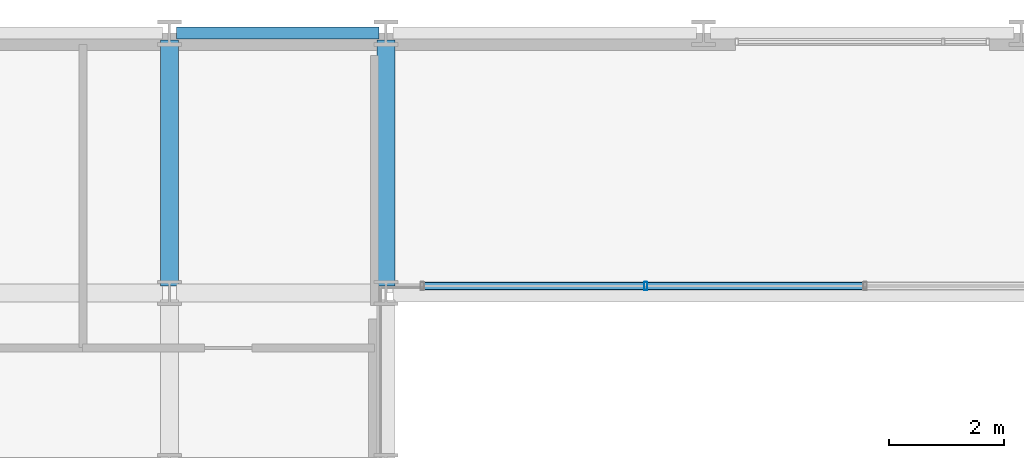
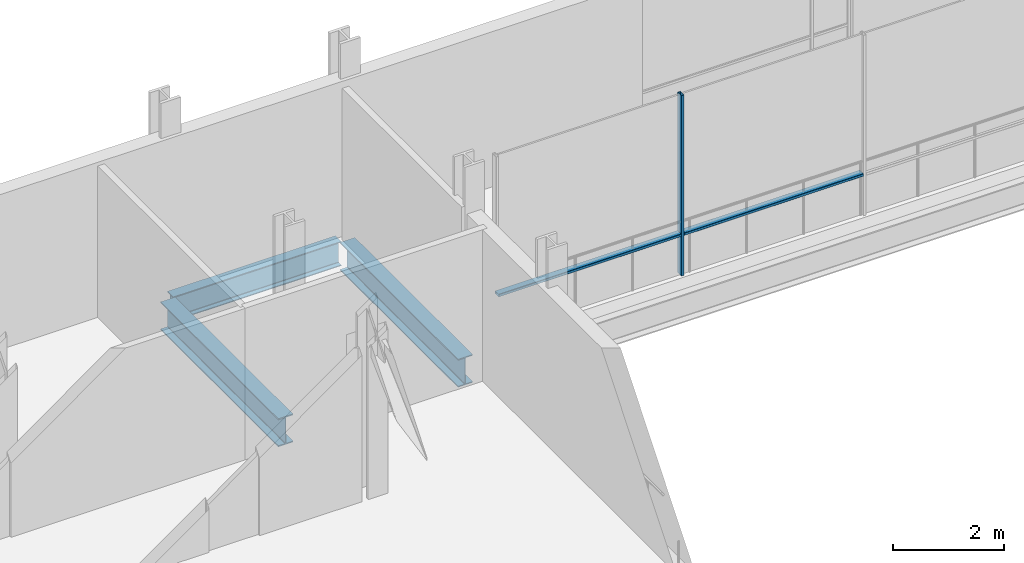
# One storey, part 11 of 32: 3 beams, 3 members, 1 element without a shape of its own.
"""IFC4 building model written with IfcOpenShell, lengths in metres."""

from ifc_helpers import new_model, si_unit, direction, frame, origin, origin_2d, place, context, subcontext, project, spatial, hollow_rectangle, i_section, extrude, material, layer, layer_set, material_profile, profile_set, type_object, element, aggregate, save


model = new_model("IFC4")

# Units and contexts
model_context = context("Model", 3, precision=1e-05, world=origin(), true_north=direction((0.0, 1.0)))
body_context = subcontext(model_context, "Body", "Model", "MODEL_VIEW")
ifc_project = project(units=[si_unit("LENGTHUNIT", "METRE"), si_unit("AREAUNIT", "SQUARE_METRE"), si_unit("VOLUMEUNIT", "CUBIC_METRE"), si_unit("PLANEANGLEUNIT", "RADIAN"), si_unit("MASSUNIT", "GRAM", prefix="KILO")], contexts=[model_context])

# Site, building, storey
site_placement = place(None, origin())
site = spatial("IfcSite", under=ifc_project, at=site_placement, CompositionType="ELEMENT")
building_placement = place(site_placement, origin())
building = spatial("IfcBuilding", under=site, at=building_placement, Name="Brevholm Reach", CompositionType="ELEMENT")
storey_placement = place(building_placement, frame((0.0, 0.0, 96.199951171875)))
storey = spatial("IfcBuildingStorey", under=building, at=storey_placement, Name="L28", CompositionType="ELEMENT", Elevation=96.199951171875)

# Beams
ifc_material_1 = material(Name="Structural Steel S355J2", Category="steel")
ifc_material_profile_1 = material_profile(ifc_material_1, i_section(OverallWidth=0.210693359375, OverallDepth=0.53955078125, WebThickness=0.01171875, FlangeThickness=0.018798828125, FilletRadius=0.0126953125, at=origin_2d()), Name="UKB 533x210x109")
ifc_profile_set_1 = profile_set([ifc_material_profile_1], Name="Structural Steel S355J2")
beam_type_1 = type_object("IfcBeamType", Name="BM-SP539", PredefinedType="SPANDREL", material=ifc_profile_set_1)
beam_placement = place(storey_placement, frame((18.1201171875, 31.0, -0.52978515625), z_axis=(1.0, 0.0, 0.0), x_axis=(0.0, 1.0, 0.0)))
element("IfcBeam", 1, at=beam_placement, inside=storey, type_object=beam_type_1, Name="L28 SP-01B Framing Beam", PredefinedType="SPANDREL", context=body_context, shape_type="SweptSolid", body=[
    extrude(i_section(OverallWidth=0.210693359375, OverallDepth=0.53955078125, WebThickness=0.01171875, FlangeThickness=0.018798828125, FilletRadius=0.0126953125, at=origin_2d()), origin(), (0.0, 0.0, 1.0), 3.509765625),
])
ifc_material_2 = material(Name="Structural Steel S355J2", Category="steel")
ifc_material_profile_2 = material_profile(ifc_material_2, i_section(OverallWidth=0.30712890625, OverallDepth=0.6201171875, WebThickness=0.01416015625, FlangeThickness=0.023681640625, FilletRadius=0.0166015625, at=origin_2d()), Name="UKB 610x305x179")
ifc_profile_set_2 = profile_set([ifc_material_profile_2], Name="Structural Steel S355J2")
beam_type_2 = type_object("IfcBeamType", Name="BM-UKB610H", PredefinedType="USERDEFINED", material=ifc_profile_set_2)
for number, where, z_axis, x_axis, name in (
    (2, (18.0, 26.6201171875, -0.570068359375), (0.0, 1.0, 0.0), (-1.0, 0.0, 0.0), "L28 G-06 Framing Beam"),
    (3, (21.75, 26.6201171875, -0.570068359375), (0.0, 1.0, 0.0), (-1.0, 0.0, 0.0), "L28 G-06 Framing Beam"),
):
    element("IfcBeam", number, at=place(storey_placement, frame(where, z_axis=z_axis, x_axis=x_axis)), inside=storey, type_object=beam_type_2, Name=name, ObjectType="GIRDER", PredefinedType="USERDEFINED", context=body_context, shape_type="SweptSolid", body=[
        extrude(i_section(OverallWidth=0.30712890625, OverallDepth=0.6201171875, WebThickness=0.01416015625, FlangeThickness=0.023681640625, FilletRadius=0.0166015625, at=origin_2d()), origin(), (0.0, 0.0, 1.0), 4.259765625),
    ])

# Curtain wall, members
ifc_material_3 = material(Name="Dark Anodised Aluminium 6063-T6 and Solar-Control Glass", Category="aluminium")
ifc_layer = layer(ifc_material_3, 0.139892578125)
ifc_layer_set = layer_set([ifc_layer], Name="Dark Anodised Aluminium 6063-T6 and Solar-Control Glass")
curtain_wall_type = type_object("IfcCurtainWallType", Name="CW-02", PredefinedType="NOTDEFINED", material=ifc_layer_set)
curtain_wall_placement = place(storey_placement, origin())
curtain_wall = element("IfcCurtainWall", 4, at=curtain_wall_placement, inside=storey, type_object=curtain_wall_type, Name="L28 Curtain Wall CW-02", PredefinedType="NOTDEFINED")
ifc_material_4 = material(Name="Dark Anodised Aluminium 6063-T6", Category="aluminium")
ifc_material_profile_3 = material_profile(ifc_material_4, hollow_rectangle(XDim=0.06005859375, YDim=0.139892578125, WallThickness=0.0048828125, InnerFilletRadius=0.0048828125, OuterFilletRadius=0.010009765625, at=origin_2d()), Name="RHS 140x60x5")
ifc_profile_set_3 = profile_set([ifc_material_profile_3], Name="Dark Anodised Aluminium 6063-T6")
member_type_1 = type_object("IfcMemberType", Name="CWM-140", PredefinedType="MULLION", material=ifc_profile_set_3)
member_1_placement = place(storey_placement, frame((26.25, 26.6201171875, 0.0), z_axis=(0.0, 0.0, 1.0), x_axis=(-1.0, 0.0, 0.0)))
member_1 = element("IfcMember", 5, at=member_1_placement, type_object=member_type_1, Name="CM-140 Mullion 4", PredefinedType="MULLION", context=body_context, shape_type="SweptSolid", body=[
    extrude(hollow_rectangle(XDim=0.06005859375, YDim=0.139892578125, WallThickness=0.0048828125, InnerFilletRadius=0.0048828125, OuterFilletRadius=0.010009765625, at=origin_2d()), origin(), (0.0, 0.0, 1.0), 3.97998046875),
])
ifc_material_5 = material(Name="Dark Anodised Aluminium 6063-T6", Category="aluminium")
ifc_material_profile_4 = material_profile(ifc_material_5, hollow_rectangle(XDim=0.06005859375, YDim=0.139892578125, WallThickness=0.0048828125, InnerFilletRadius=0.0048828125, OuterFilletRadius=0.010009765625, at=origin_2d()), Name="RHS 140x60x5")
ifc_profile_set_4 = profile_set([ifc_material_profile_4], Name="Dark Anodised Aluminium 6063-T6")
member_type_2 = type_object("IfcMemberType", Name="CWT-140", PredefinedType="NOTDEFINED", material=ifc_profile_set_4)
member_2_placement = place(storey_placement, frame((30.02001953125, 26.6201171875, 0.900146484375), z_axis=(-1.0, 0.0, 0.0), x_axis=(0.0, 0.0, 1.0)))
member_2 = element("IfcMember", 6, at=member_2_placement, type_object=member_type_2, Name="CT-140 Transom 3.1", ObjectType="TRANSOM", PredefinedType="USERDEFINED", context=body_context, shape_type="SweptSolid", body=[
    extrude(hollow_rectangle(XDim=0.06005859375, YDim=0.139892578125, WallThickness=0.0048828125, InnerFilletRadius=0.0048828125, OuterFilletRadius=0.010009765625, at=origin_2d()), origin(), (0.0, 0.0, 1.0), 3.739990234375),
])
member_3_placement = place(storey_placement, frame((26.219970703125, 26.6201171875, 0.900146484375), z_axis=(-1.0, 0.0, 0.0), x_axis=(0.0, 0.0, 1.0)))
member_3 = element("IfcMember", 7, at=member_3_placement, type_object=member_type_2, Name="CT-140 Transom 4.1", ObjectType="TRANSOM", PredefinedType="USERDEFINED", context=body_context, shape_type="SweptSolid", body=[
    extrude(hollow_rectangle(XDim=0.06005859375, YDim=0.139892578125, WallThickness=0.0048828125, InnerFilletRadius=0.0048828125, OuterFilletRadius=0.010009765625, at=origin_2d()), origin(), (0.0, 0.0, 1.0), 3.81005859375),
])
aggregate(curtain_wall, [member_1, member_2, member_3])

save(model, "model.ifc")
